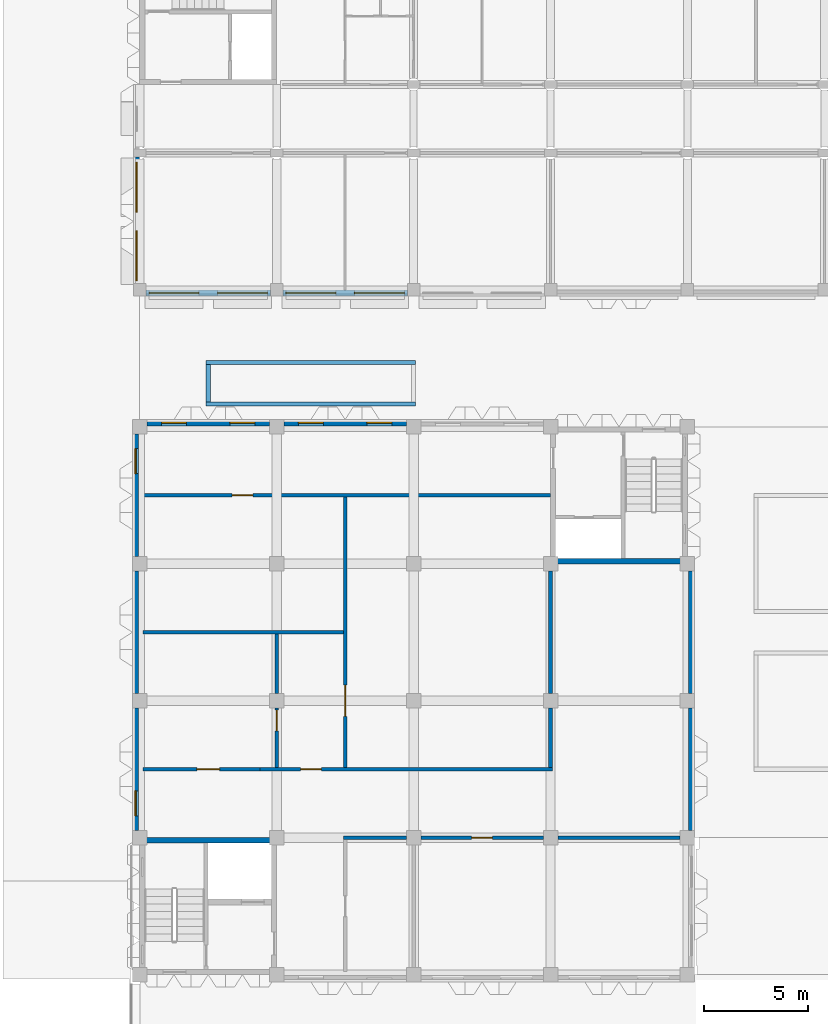
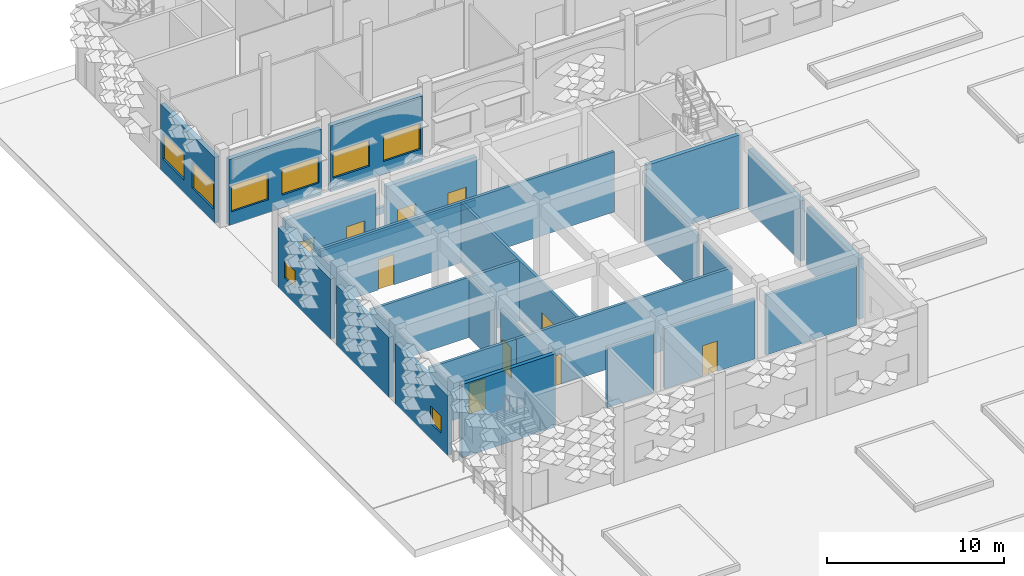
# One storey, part 35 of 85: 27 walls, 12 windows, 6 doors, 18 openings.
"""IFC4 building model written with IfcOpenShell, lengths in metres."""

import ifcopenshell
import ifcopenshell.guid

model = None  # the IFC model being written
_history = None  # IfcOwnerHistory: only IFC2X3 demands one
_inside = {}  # id of a spatial element -> (the spatial element, [elements in it])
_under = {}  # id of a project, library or spatial element -> (it, [spatial elements below it])
_declared = {}  # id of a project -> (the project, [libraries it declares])
_typed = {}  # id of a type object -> (the type object, [elements of that type])
_made_of = {}  # id of a material, layer set ... -> (it, [elements and type objects made of it])


def new_model(schema):
    """Start an empty IFC model of exactly this schema.

    Asked for "IFC4X3", IfcOpenShell would pick the latest addendum, in which some entities
    have other attributes; the version numbers below select the first issue.
    IFC2X3 requires an IfcOwnerHistory on every rooted entity: one is made here for all.
    """
    global model, _history
    if schema == "IFC4X3":
        model = ifcopenshell.file(schema_version=(4, 3, 0, 0))
    else:
        model = ifcopenshell.file(schema=schema)
    _inside.clear()
    _under.clear()
    _declared.clear()
    _typed.clear()
    _made_of.clear()
    _history = None
    if model.schema == "IFC2X3":
        org = make("IfcOrganization", Name="unknown")
        user = make(
            "IfcPersonAndOrganization",
            ThePerson=make("IfcPerson", FamilyName="unknown"),
            TheOrganization=org,
        )
        app = make(
            "IfcApplication",
            ApplicationDeveloper=org,
            Version="unknown",
            ApplicationFullName="unknown",
            ApplicationIdentifier="unknown",
        )
        _history = make(
            "IfcOwnerHistory",
            OwningUser=user,
            OwningApplication=app,
            ChangeAction="ADDED",
            CreationDate=0,
        )
    return model


def make(cls, **values):
    """One entity of the class cls with the attributes given. An attribute that is None is left unset."""
    return model.create_entity(
        cls, **{name: value for name, value in values.items() if value is not None}
    )


def rooted(cls, **values):
    """An entity with a GlobalId (a new one), such as an element, a storey or a relation."""
    return make(cls, GlobalId=ifcopenshell.guid.new(), OwnerHistory=_history, **values)


def si_unit(unit_type, name, prefix=None):
    """IfcSIUnit, for example si_unit("LENGTHUNIT", "METRE", prefix="MILLI")."""
    return make("IfcSIUnit", UnitType=unit_type, Prefix=prefix, Name=name)


def assignment(units):
    """IfcUnitAssignment: the units of a project."""
    return None if units is None else make("IfcUnitAssignment", Units=units)


def point(xyz):
    """IfcCartesianPoint."""
    return None if xyz is None else make("IfcCartesianPoint", Coordinates=xyz)


def direction(xyz):
    """IfcDirection."""
    return None if xyz is None else make("IfcDirection", DirectionRatios=xyz)


def frame(location, z_axis=None, x_axis=None):
    """IfcAxis2Placement3D, a coordinate frame: its origin and axes. An axis left out is left unset."""
    return make(
        "IfcAxis2Placement3D",
        Location=point(location),
        Axis=direction(z_axis),
        RefDirection=direction(x_axis),
    )


def frame_2d(location, x_axis=None):
    """IfcAxis2Placement2D, a coordinate frame in the plane: its origin and x axis."""
    return make(
        "IfcAxis2Placement2D", Location=point(location), RefDirection=direction(x_axis)
    )


def origin():
    """The frame at (0, 0, 0) with its axes left unset."""
    return frame((0.0, 0.0, 0.0))


def place(relative_to, where):
    """IfcLocalPlacement: puts the frame where relative to a parent placement (None: the world)."""
    return make(
        "IfcLocalPlacement", PlacementRelTo=relative_to, RelativePlacement=where
    )


def context(
    kind, dimensions, precision=None, world=None, true_north=None, identifier=None
):
    """IfcGeometricRepresentationContext, for example the 3D "Model" context."""
    return make(
        "IfcGeometricRepresentationContext",
        ContextIdentifier=identifier,
        ContextType=kind,
        CoordinateSpaceDimension=dimensions,
        Precision=precision,
        WorldCoordinateSystem=world,
        TrueNorth=true_north,
    )


def subcontext(parent, identifier, kind, view, scale=None):
    """IfcGeometricRepresentationSubContext, for example "Body" below "Model"."""
    return make(
        "IfcGeometricRepresentationSubContext",
        ContextIdentifier=identifier,
        ContextType=kind,
        ParentContext=parent,
        TargetScale=scale,
        TargetView=view,
    )


def project(units=None, contexts=None):
    """IfcProject with its units and contexts."""
    return rooted(
        "IfcProject",
        Name="project",
        RepresentationContexts=contexts,
        UnitsInContext=assignment(units),
    )


def spatial(cls, under=None, at=None, **own):
    """A site, building, storey or space (cls), placed at a placement, below another one or the project."""
    s = rooted(cls, ObjectPlacement=at, **own)
    if under is not None:
        _under.setdefault(under.id(), (under, []))[1].append(s)
    return s


def profile(cls, at=None, kind="AREA", **sizes):
    """A parametric profile (cls). Its sizes go by their IFC names, for example OverallWidth=200.0."""
    return make(cls, ProfileType=kind, Position=at, **sizes)


def rectangle(**sizes):
    """IfcRectangleProfileDef."""
    return profile("IfcRectangleProfileDef", **sizes)


def extrude(swept, where, along, depth):
    """IfcExtrudedAreaSolid: the profile swept, set in the frame where, extruded along a direction by depth."""
    return make(
        "IfcExtrudedAreaSolid",
        SweptArea=swept,
        Position=where,
        ExtrudedDirection=direction(along),
        Depth=depth,
    )


def shape(context_of_items, identifier, shape_type, items):
    """IfcShapeRepresentation: the items that make up one representation, for example the "Body"."""
    return make(
        "IfcShapeRepresentation",
        ContextOfItems=context_of_items,
        RepresentationIdentifier=identifier,
        RepresentationType=shape_type,
        Items=items,
    )


def material(Name=None, Category=None):
    """IfcMaterial."""
    return make("IfcMaterial", Name=Name, Category=Category)


def layer(
    of_material, thickness, ventilated=None, Name=None, Category=None, Priority=None
):
    """IfcMaterialLayer: one layer of a wall or slab, of a material (None: an air gap)."""
    return make(
        "IfcMaterialLayer",
        Material=of_material,
        LayerThickness=thickness,
        IsVentilated=ventilated,
        Name=Name,
        Category=Category,
        Priority=Priority,
    )


def layer_set(layers, Name=None):
    """IfcMaterialLayerSet."""
    return make("IfcMaterialLayerSet", MaterialLayers=layers, LayerSetName=Name)


def made_of(thing, what):
    """Note that an element or type object is made of a material, layer set ...; save() writes the relation."""
    if what is not None:
        _made_of.setdefault(what.id(), (what, []))[1].append(thing)
    return thing


def type_object(cls, material=None, **own):
    """A type object (cls), such as IfcWallType, which elements share."""
    return made_of(rooted(cls, **own), material)


def element(
    cls,
    number,
    at=None,
    inside=None,
    cuts=None,
    type_object=None,
    material=None,
    context=None,
    identifier="Body",
    shape_type=None,
    held_by="IfcProductDefinitionShape",
    body=None,
    shapes=None,
    **own,
):
    """One element of the class cls, such as IfcWall. Its Tag is "e" and its number.

    at: its placement. inside: the storey or other place that contains it. cuts: it is an
    opening in that element (IfcRelVoidsElement). A single representation is given by context,
    identifier, shape_type and body (its items); several are given by shapes. held_by: the class
    of the entity that holds the representations. save() writes the other relations.
    """
    e = rooted(cls, Tag="e%d" % number, ObjectPlacement=at, **own)
    if body is not None:
        shapes = [shape(context, identifier, shape_type, body)]
    if shapes is not None:
        e.Representation = make(held_by, Representations=shapes)
    if inside is not None:
        _inside.setdefault(inside.id(), (inside, []))[1].append(e)
    if cuts is not None:
        rooted(
            "IfcRelVoidsElement", RelatingBuildingElement=cuts, RelatedOpeningElement=e
        )
    if type_object is not None:
        _typed.setdefault(type_object.id(), (type_object, []))[1].append(e)
    return made_of(e, material)


def fill(opening, filler):
    """IfcRelFillsElement: the door or window that sits in an opening."""
    return rooted(
        "IfcRelFillsElement",
        RelatingOpeningElement=opening,
        RelatedBuildingElement=filler,
    )


def aggregate(whole, parts):
    """IfcRelAggregates: a whole, such as a stair, and the parts it consists of."""
    return rooted("IfcRelAggregates", RelatingObject=whole, RelatedObjects=parts)


def save(model, path):
    """Write the relations noted so far, then the file.

    IfcRelAggregates (storeys below a building ...), IfcRelContainedInSpatialStructure (elements
    in a storey), IfcRelDefinesByType, IfcRelAssociatesMaterial and IfcRelDeclares: one each for
    every whole, place, type object, material and project.
    """
    for whole, parts in _under.values():
        aggregate(whole, parts)
    for where, things in _inside.values():
        rooted(
            "IfcRelContainedInSpatialStructure",
            RelatedElements=things,
            RelatingStructure=where,
        )
    for kind, things in _typed.values():
        rooted("IfcRelDefinesByType", RelatedObjects=things, RelatingType=kind)
    for what, things in _made_of.values():
        rooted("IfcRelAssociatesMaterial", RelatedObjects=things, RelatingMaterial=what)
    for by, libraries in _declared.values():
        rooted("IfcRelDeclares", RelatingContext=by, RelatedDefinitions=libraries)
    model.write(path)


model = new_model("IFC4")

# Units and contexts
model_context = context("Model", 3, precision=1e-05, world=origin(), true_north=direction((0.0, 1.0)))
body_context = subcontext(model_context, "Body", "Model", "MODEL_VIEW")
ifc_project = project(units=[si_unit("LENGTHUNIT", "METRE"), si_unit("AREAUNIT", "SQUARE_METRE"), si_unit("VOLUMEUNIT", "CUBIC_METRE"), si_unit("PLANEANGLEUNIT", "RADIAN"), si_unit("MASSUNIT", "GRAM", prefix="KILO")], contexts=[model_context])

# Site, building, storey
site_placement = place(None, origin())
site = spatial("IfcSite", under=ifc_project, at=site_placement, CompositionType="ELEMENT")
building_placement = place(site_placement, origin())
building = spatial("IfcBuilding", under=site, at=building_placement, Name="Lantern Court Research Institute", CompositionType="ELEMENT")
storey_placement = place(building_placement, origin())
storey = spatial("IfcBuildingStorey", under=building, at=storey_placement, Name="L00", CompositionType="ELEMENT", Elevation=0.0)

# Wall
ifc_material_1 = material(Name="Coated metal-faced insulated panel")
ifc_layer_1 = layer(ifc_material_1, 0.175048828125)
ifc_layer_set_1 = layer_set([ifc_layer_1], Name="Coated metal-faced insulated panel")
wall_type_1 = type_object("IfcWallType", Name="Clean room wall 175 mm EI 60", PredefinedType="PARTITIONING", material=ifc_layer_set_1)
wall_1_placement = place(storey_placement, frame((9.81201171875, 56.10009765625, 0.0), z_axis=(0.0, 0.0, 1.0), x_axis=(1.0, 0.0, 0.0)))
element("IfcWall", 1, at=wall_1_placement, inside=storey, type_object=wall_type_1, Name="Wall V3-L00-001", PredefinedType="PARTITIONING", context=body_context, shape_type="SweptSolid", body=[
    extrude(rectangle(XDim=3.0380859375, YDim=0.175048828125, at=frame_2d((1.51904296875, 0.0))), origin(), (0.0, 0.0, 1.0), 4.14990234375),
])

# Wall, opening, door
wall_2_placement = place(storey_placement, frame((19.449951171875, 56.10009765625, 0.0), z_axis=(0.0, 0.0, 1.0), x_axis=(-1.0, 0.0, 0.0)))
wall_2 = element("IfcWall", 2, at=wall_2_placement, inside=storey, type_object=wall_type_1, Name="Wall V3-L00-002", PredefinedType="PARTITIONING", context=body_context, shape_type="SweptSolid", body=[
    extrude(rectangle(XDim=5.89990234375, YDim=0.175048828125, at=frame_2d((2.949951171875, 0.0))), origin(), (0.0, 0.0, 1.0), 4.14990234375),
])
opening_1_placement = place(wall_2_placement, frame((2.449951171875, 0.0, 0.0)))
opening_1 = element("IfcOpeningElement", 3, at=opening_1_placement, cuts=wall_2, Name="Opening D3001", PredefinedType="OPENING", context=body_context, shape_type="SweptSolid", body=[
    extrude(rectangle(XDim=1.0, YDim=2.10009765625, at=frame_2d((0.5, 1.050048828125))), frame((0.0, 0.097412109375, 0.0), z_axis=(0.0, -1.0, 0.0), x_axis=(1.0, 0.0, 0.0)), (0.0, 0.0, 1.0), 0.195068359375),
])
ifc_material_2 = material(Name="Hygienic coated metal door leaf")
door_type_1 = type_object("IfcDoorType", Name="Door 1000 x 2100 clean room FD30S", OperationType="NOTDEFINED", PredefinedType="DOOR", material=ifc_material_2)
door_1_placement = place(opening_1_placement, origin())
door_1 = element("IfcDoor", 4, at=door_1_placement, inside=storey, type_object=door_type_1, Name="Door D3001", OperationType="SINGLE_SWING_RIGHT", OverallHeight=2.10009765625, OverallWidth=1.0, PredefinedType="DOOR", context=body_context, shape_type="SweptSolid", body=[
    extrude(rectangle(XDim=1.0, YDim=2.10009765625, at=frame_2d((0.5, 1.050048828125))), frame((0.0, 0.02490234375, 0.0), z_axis=(0.0, -1.0, 0.0), x_axis=(1.0, 0.0, 0.0)), (0.0, 0.0, 1.0), 0.050048828125),
])
fill(opening_1, door_1)

# Wall
wall_3_placement = place(storey_placement, frame((20.14990234375, 56.10009765625, 0.0), z_axis=(0.0, 0.0, 1.0), x_axis=(1.0, 0.0, 0.0)))
element("IfcWall", 5, at=wall_3_placement, inside=storey, type_object=wall_type_1, Name="Wall V3-L00-003", PredefinedType="PARTITIONING", context=body_context, shape_type="SweptSolid", body=[
    extrude(rectangle(XDim=5.900146484375, YDim=0.175048828125, at=frame_2d((2.9501953125, 0.0))), origin(), (0.0, 0.0, 1.0), 4.14990234375),
])

# Wall, opening, door
wall_4_placement = place(storey_placement, frame((0.14990234375, 59.39990234375, 0.0), z_axis=(0.0, 0.0, 1.0), x_axis=(1.0, 0.0, 0.0)))
wall_4 = element("IfcWall", 6, at=wall_4_placement, inside=storey, type_object=wall_type_1, Name="Wall V3-L00-004", PredefinedType="PARTITIONING", context=body_context, shape_type="SweptSolid", body=[
    extrude(rectangle(XDim=5.650146484375, YDim=0.175048828125, at=frame_2d((2.8251953125, 0.0))), origin(), (0.0, 0.0, 1.0), 4.14990234375),
])
opening_2_placement = place(wall_4_placement, frame((2.60009765625, 0.0, 0.0)))
opening_2 = element("IfcOpeningElement", 7, at=opening_2_placement, cuts=wall_4, Name="Opening D3002", PredefinedType="OPENING", context=body_context, shape_type="SweptSolid", body=[
    extrude(rectangle(XDim=1.10009765625, YDim=2.10009765625, at=frame_2d((0.550048828125, 1.050048828125))), frame((0.0, 0.097412109375, 0.0), z_axis=(0.0, -1.0, 0.0), x_axis=(1.0, 0.0, 0.0)), (0.0, 0.0, 1.0), 0.195068359375),
])
ifc_material_3 = material(Name="Hygienic coated metal door leaf")
door_type_2 = type_object("IfcDoorType", Name="Door 1100 x 2100 gowning FD30S", OperationType="NOTDEFINED", PredefinedType="DOOR", material=ifc_material_3)
door_2_placement = place(opening_2_placement, origin())
door_2 = element("IfcDoor", 8, at=door_2_placement, inside=storey, type_object=door_type_2, Name="Door D3002", OperationType="SINGLE_SWING_LEFT", OverallHeight=2.10009765625, OverallWidth=1.10009765625, PredefinedType="DOOR", context=body_context, shape_type="SweptSolid", body=[
    extrude(rectangle(XDim=1.10009765625, YDim=2.10009765625, at=frame_2d((0.550048828125, 1.050048828125))), frame((0.0, 0.02490234375, 0.0), z_axis=(0.0, -1.0, 0.0), x_axis=(1.0, 0.0, 0.0)), (0.0, 0.0, 1.0), 0.050048828125),
])
fill(opening_2, door_2)

wall_5_placement = place(storey_placement, frame((19.886962890625, 59.39990234375, 0.0), z_axis=(0.0, 0.0, 1.0), x_axis=(-1.0, 0.0, 0.0)))
wall_5 = element("IfcWall", 9, at=wall_5_placement, inside=storey, type_object=wall_type_1, Name="Wall V3-L00-005", PredefinedType="PARTITIONING", context=body_context, shape_type="SweptSolid", body=[
    extrude(rectangle(XDim=14.0869140625, YDim=0.175048828125, at=frame_2d((7.04345703125, 0.0))), origin(), (0.0, 0.0, 1.0), 4.14990234375),
])
opening_3_placement = place(wall_5_placement, frame((11.136962890625, 0.0, 0.0)))
opening_3 = element("IfcOpeningElement", 10, at=opening_3_placement, cuts=wall_5, Name="Opening D3003", PredefinedType="OPENING", context=body_context, shape_type="SweptSolid", body=[
    extrude(rectangle(XDim=1.0, YDim=2.10009765625, at=frame_2d((0.5, 1.050048828125))), frame((0.0, 0.097412109375, 0.0), z_axis=(0.0, -1.0, 0.0), x_axis=(1.0, 0.0, 0.0)), (0.0, 0.0, 1.0), 0.195068359375),
])
door_3_placement = place(opening_3_placement, origin())
door_3 = element("IfcDoor", 11, at=door_3_placement, inside=storey, type_object=door_type_1, Name="Door D3003", OperationType="SINGLE_SWING_RIGHT", OverallHeight=2.10009765625, OverallWidth=1.0, PredefinedType="DOOR", context=body_context, shape_type="SweptSolid", body=[
    extrude(rectangle(XDim=1.0, YDim=2.10009765625, at=frame_2d((0.5, 1.050048828125))), frame((0.0, 0.02490234375, 0.0), z_axis=(0.0, -1.0, 0.0), x_axis=(1.0, 0.0, 0.0)), (0.0, 0.0, 1.0), 0.050048828125),
])
fill(opening_3, door_3)

# Wall
wall_6_placement = place(storey_placement, frame((0.14990234375, 66.0, 0.0), z_axis=(0.0, 0.0, 1.0), x_axis=(1.0, 0.0, 0.0)))
element("IfcWall", 12, at=wall_6_placement, inside=storey, type_object=wall_type_1, Name="Wall V3-L00-006", PredefinedType="PARTITIONING", context=body_context, shape_type="SweptSolid", body=[
    extrude(rectangle(XDim=9.662109375, YDim=0.175048828125, at=frame_2d((4.8310546875, 0.0))), origin(), (0.0, 0.0, 1.0), 4.14990234375),
])

# Wall, opening, door
wall_7_placement = place(storey_placement, frame((19.800048828125, 72.60009765625, 0.0), z_axis=(0.0, 0.0, 1.0), x_axis=(-1.0, 0.0, 0.0)))
wall_7 = element("IfcWall", 13, at=wall_7_placement, inside=storey, type_object=wall_type_1, Name="Wall V3-L00-007", PredefinedType="PARTITIONING", context=body_context, shape_type="SweptSolid", body=[
    extrude(rectangle(XDim=19.650146484375, YDim=0.175048828125, at=frame_2d((9.8251953125, 0.0))), origin(), (0.0, 0.0, 1.0), 4.14990234375),
])
opening_4_placement = place(wall_7_placement, frame((14.35009765625, 0.0, 0.0)))
opening_4 = element("IfcOpeningElement", 14, at=opening_4_placement, cuts=wall_7, Name="Opening D3004", PredefinedType="OPENING", context=body_context, shape_type="SweptSolid", body=[
    extrude(rectangle(XDim=1.0, YDim=2.10009765625, at=frame_2d((0.5, 1.050048828125))), frame((0.0, 0.097412109375, 0.0), z_axis=(0.0, -1.0, 0.0), x_axis=(1.0, 0.0, 0.0)), (0.0, 0.0, 1.0), 0.195068359375),
])
ifc_material_4 = material(Name="Coated metal door leaf")
door_type_3 = type_object("IfcDoorType", Name="Door 1000 x 2100 plant FD60", OperationType="NOTDEFINED", PredefinedType="DOOR", material=ifc_material_4)
door_4_placement = place(opening_4_placement, origin())
door_4 = element("IfcDoor", 15, at=door_4_placement, inside=storey, type_object=door_type_3, Name="Door D3004", OperationType="SINGLE_SWING_RIGHT", OverallHeight=2.10009765625, OverallWidth=1.0, PredefinedType="DOOR", context=body_context, shape_type="SweptSolid", body=[
    extrude(rectangle(XDim=1.0, YDim=2.10009765625, at=frame_2d((0.5, 1.050048828125))), frame((0.0, 0.02490234375, 0.0), z_axis=(0.0, -1.0, 0.0), x_axis=(1.0, 0.0, 0.0)), (0.0, 0.0, 1.0), 0.050048828125),
])
fill(opening_4, door_4)

wall_8_placement = place(storey_placement, frame((6.60009765625, 59.487060546875, 0.0), z_axis=(0.0, 0.0, 1.0), x_axis=(0.0, 1.0, 0.0)))
wall_8 = element("IfcWall", 16, at=wall_8_placement, inside=storey, type_object=wall_type_1, Name="Wall V3-L00-008", PredefinedType="PARTITIONING", context=body_context, shape_type="SweptSolid", body=[
    extrude(rectangle(XDim=2.863037109375, YDim=0.175048828125, at=frame_2d((1.431640625, 0.0))), origin(), (0.0, 0.0, 1.0), 4.14990234375),
])
opening_5_placement = place(wall_8_placement, frame((1.762939453125, 0.0, 0.0)))
opening_5 = element("IfcOpeningElement", 17, at=opening_5_placement, cuts=wall_8, Name="Opening D3005", PredefinedType="OPENING", context=body_context, shape_type="SweptSolid", body=[
    extrude(rectangle(XDim=1.0, YDim=2.10009765625, at=frame_2d((0.5, 1.050048828125))), frame((0.0, 0.097412109375, 0.0), z_axis=(0.0, -1.0, 0.0), x_axis=(1.0, 0.0, 0.0)), (0.0, 0.0, 1.0), 0.195068359375),
])
door_5_placement = place(opening_5_placement, origin())
door_5 = element("IfcDoor", 18, at=door_5_placement, inside=storey, type_object=door_type_1, Name="Door D3005", OperationType="SINGLE_SWING_LEFT", OverallHeight=2.10009765625, OverallWidth=1.0, PredefinedType="DOOR", context=body_context, shape_type="SweptSolid", body=[
    extrude(rectangle(XDim=1.0, YDim=2.10009765625, at=frame_2d((0.5, 1.050048828125))), frame((0.0, 0.02490234375, 0.0), z_axis=(0.0, -1.0, 0.0), x_axis=(1.0, 0.0, 0.0)), (0.0, 0.0, 1.0), 0.050048828125),
])
fill(opening_5, door_5)

# Wall
wall_9_placement = place(storey_placement, frame((6.60009765625, 63.050048828125, 0.0), z_axis=(0.0, 0.0, 1.0), x_axis=(0.0, 1.0, 0.0)))
element("IfcWall", 19, at=wall_9_placement, inside=storey, type_object=wall_type_1, Name="Wall V3-L00-009", PredefinedType="PARTITIONING", context=body_context, shape_type="SweptSolid", body=[
    extrude(rectangle(XDim=2.862060546875, YDim=0.175048828125, at=frame_2d((1.43115234375, 0.0))), origin(), (0.0, 0.0, 1.0), 4.14990234375),
])

# Wall, opening, door
wall_10_placement = place(storey_placement, frame((9.89990234375, 59.487060546875, 0.0), z_axis=(0.0, 0.0, 1.0), x_axis=(0.0, 1.0, 0.0)))
wall_10 = element("IfcWall", 20, at=wall_10_placement, inside=storey, type_object=wall_type_1, Name="Wall V3-L00-011", PredefinedType="PARTITIONING", context=body_context, shape_type="SweptSolid", body=[
    extrude(rectangle(XDim=13.02490234375, YDim=0.175048828125, at=frame_2d((6.512451171875, 0.0))), origin(), (0.0, 0.0, 1.0), 4.14990234375),
])
opening_6_placement = place(wall_10_placement, frame((2.462890625, 0.0, 0.0)))
opening_6 = element("IfcOpeningElement", 21, at=opening_6_placement, cuts=wall_10, Name="Opening D3007", PredefinedType="OPENING", context=body_context, shape_type="SweptSolid", body=[
    extrude(rectangle(XDim=1.5, YDim=2.10009765625, at=frame_2d((0.75, 1.050048828125))), frame((0.0, 0.097412109375, 0.0), z_axis=(0.0, -1.0, 0.0), x_axis=(1.0, 0.0, 0.0)), (0.0, 0.0, 1.0), 0.195068359375),
])
ifc_material_5 = material(Name="Hygienic coated metal door leaf")
door_type_4 = type_object("IfcDoorType", Name="Door 1500 x 2100 clean room pair FD30S", OperationType="DOUBLE_DOOR_SINGLE_SWING", PredefinedType="DOOR", material=ifc_material_5)
door_6_placement = place(opening_6_placement, origin())
door_6 = element("IfcDoor", 22, at=door_6_placement, inside=storey, type_object=door_type_4, Name="Door D3007", OperationType="DOUBLE_DOOR_SINGLE_SWING", OverallHeight=2.10009765625, OverallWidth=1.5, PredefinedType="DOOR", context=body_context, shape_type="SweptSolid", body=[
    extrude(rectangle(XDim=1.5, YDim=2.10009765625, at=frame_2d((0.75, 1.050048828125))), frame((0.0, 0.02490234375, 0.0), z_axis=(0.0, -1.0, 0.0), x_axis=(1.0, 0.0, 0.0)), (0.0, 0.0, 1.0), 0.050048828125),
])
fill(opening_6, door_6)

# Walls
wall_11_placement = place(storey_placement, frame((19.800048828125, 59.487060546875, 0.0), z_axis=(0.0, 0.0, 1.0), x_axis=(0.0, 1.0, 0.0)))
element("IfcWall", 23, at=wall_11_placement, inside=storey, type_object=wall_type_1, Name="Wall V3-L00-013", PredefinedType="PARTITIONING", context=body_context, shape_type="SweptSolid", body=[
    extrude(rectangle(XDim=2.863037109375, YDim=0.175048828125, at=frame_2d((1.431640625, 0.0))), origin(), (0.0, 0.0, 1.0), 4.14990234375),
])
wall_12_placement = place(storey_placement, frame((19.800048828125, 63.050048828125, 0.0), z_axis=(0.0, 0.0, 1.0), x_axis=(0.0, 1.0, 0.0)))
element("IfcWall", 24, at=wall_12_placement, inside=storey, type_object=wall_type_1, Name="Wall V3-L00-014", PredefinedType="PARTITIONING", context=body_context, shape_type="SweptSolid", body=[
    extrude(rectangle(XDim=5.89990234375, YDim=0.175048828125, at=frame_2d((2.949951171875, 0.0))), origin(), (0.0, 0.0, 1.0), 4.14990234375),
])

# Wall, openings, windows
ifc_material_6 = material(Name="Concrete C30/37", Category="concrete")
ifc_layer_2 = layer(ifc_material_6, 0.300048828125)
ifc_layer_set_2 = layer_set([ifc_layer_2], Name="Concrete C30/37")
wall_type_2 = type_object("IfcWallType", Name="Insulated concrete infill wall 300", PredefinedType="STANDARD", material=ifc_layer_set_2)
wall_13_placement = place(storey_placement, frame((6.300048828125, 82.35009765625, 0.0), z_axis=(0.0, 0.0, 1.0), x_axis=(-1.0, 0.0, 0.0)))
wall_13 = element("IfcWall", 25, at=wall_13_placement, inside=storey, type_object=wall_type_2, Name="Exterior wall EW061", PredefinedType="STANDARD", context=body_context, shape_type="SweptSolid", body=[
    extrude(rectangle(XDim=6.0, YDim=0.300048828125, at=frame_2d((3.0, 0.0))), origin(), (0.0, 0.0, 1.0), 4.550048828125),
])
opening_7_placement = place(wall_13_placement, frame((3.449951171875, 0.0, 0.89990234375)))
opening_7 = element("IfcOpeningElement", 26, at=opening_7_placement, cuts=wall_13, Name="Opening W13", PredefinedType="OPENING", context=body_context, shape_type="SweptSolid", body=[
    extrude(rectangle(XDim=2.39990234375, YDim=1.800048828125, at=frame_2d((1.199951171875, 0.89990234375))), frame((0.0, 0.159912109375, 0.0), z_axis=(0.0, -1.0, 0.0), x_axis=(1.0, 0.0, 0.0)), (0.0, 0.0, 1.0), 0.320068359375),
])
opening_8_placement = place(wall_13_placement, frame((0.14990234375, 0.0, 0.89990234375)))
opening_8 = element("IfcOpeningElement", 27, at=opening_8_placement, cuts=wall_13, Name="Opening W13", PredefinedType="OPENING", context=body_context, shape_type="SweptSolid", body=[
    extrude(rectangle(XDim=2.39990234375, YDim=1.800048828125, at=frame_2d((1.199951171875, 0.89990234375))), frame((0.0, 0.159912109375, 0.0), z_axis=(0.0, -1.0, 0.0), x_axis=(1.0, 0.0, 0.0)), (0.0, 0.0, 1.0), 0.320068359375),
])
ifc_material_7 = material(Name="Aluminium frame with laminated low-emissivity glazing", Category="aluminium")
window_type_1 = type_object("IfcWindowType", Name="Seminar window 2400 x 1800", PartitioningType="SINGLE_PANEL", PredefinedType="WINDOW", material=ifc_material_7)
window_1_placement = place(opening_7_placement, origin())
window_1 = element("IfcWindow", 28, at=window_1_placement, inside=storey, type_object=window_type_1, Name="Window W13 V6S L00", OverallHeight=1.800048828125, OverallWidth=2.39990234375, PartitioningType="SINGLE_PANEL", PredefinedType="WINDOW", context=body_context, shape_type="SweptSolid", body=[
    extrude(rectangle(XDim=2.39990234375, YDim=1.800048828125, at=frame_2d((1.199951171875, 0.89990234375))), frame((0.0, 0.030029296875, 0.0), z_axis=(0.0, -1.0, 0.0), x_axis=(1.0, 0.0, 0.0)), (0.0, 0.0, 1.0), 0.06005859375),
])
fill(opening_7, window_1)
window_2_placement = place(opening_8_placement, origin())
window_2 = element("IfcWindow", 29, at=window_2_placement, inside=storey, type_object=window_type_1, Name="Window W13 V6S L00", OverallHeight=1.800048828125, OverallWidth=2.39990234375, PartitioningType="SINGLE_PANEL", PredefinedType="WINDOW", context=body_context, shape_type="SweptSolid", body=[
    extrude(rectangle(XDim=2.39990234375, YDim=1.800048828125, at=frame_2d((1.199951171875, 0.89990234375))), frame((0.0, 0.030029296875, 0.0), z_axis=(0.0, -1.0, 0.0), x_axis=(1.0, 0.0, 0.0)), (0.0, 0.0, 1.0), 0.06005859375),
])
fill(opening_8, window_2)

wall_14_placement = place(storey_placement, frame((12.89990234375, 82.35009765625, 0.0), z_axis=(0.0, 0.0, 1.0), x_axis=(-1.0, 0.0, 0.0)))
wall_14 = element("IfcWall", 30, at=wall_14_placement, inside=storey, type_object=wall_type_2, Name="Exterior wall EW062", PredefinedType="STANDARD", context=body_context, shape_type="SweptSolid", body=[
    extrude(rectangle(XDim=6.0, YDim=0.300048828125, at=frame_2d((3.0, 0.0))), origin(), (0.0, 0.0, 1.0), 4.550048828125),
])
opening_9_placement = place(wall_14_placement, frame((3.449951171875, 0.0, 0.89990234375)))
opening_9 = element("IfcOpeningElement", 31, at=opening_9_placement, cuts=wall_14, Name="Opening W13", PredefinedType="OPENING", context=body_context, shape_type="SweptSolid", body=[
    extrude(rectangle(XDim=2.39990234375, YDim=1.800048828125, at=frame_2d((1.199951171875, 0.89990234375))), frame((0.0, 0.159912109375, 0.0), z_axis=(0.0, -1.0, 0.0), x_axis=(1.0, 0.0, 0.0)), (0.0, 0.0, 1.0), 0.320068359375),
])
opening_10_placement = place(wall_14_placement, frame((0.14990234375, 0.0, 0.89990234375)))
opening_10 = element("IfcOpeningElement", 32, at=opening_10_placement, cuts=wall_14, Name="Opening W13", PredefinedType="OPENING", context=body_context, shape_type="SweptSolid", body=[
    extrude(rectangle(XDim=2.39990234375, YDim=1.800048828125, at=frame_2d((1.199951171875, 0.89990234375))), frame((0.0, 0.159912109375, 0.0), z_axis=(0.0, -1.0, 0.0), x_axis=(1.0, 0.0, 0.0)), (0.0, 0.0, 1.0), 0.320068359375),
])
window_3_placement = place(opening_9_placement, origin())
window_3 = element("IfcWindow", 33, at=window_3_placement, inside=storey, type_object=window_type_1, Name="Window W13 V6S L00", OverallHeight=1.800048828125, OverallWidth=2.39990234375, PartitioningType="SINGLE_PANEL", PredefinedType="WINDOW", context=body_context, shape_type="SweptSolid", body=[
    extrude(rectangle(XDim=2.39990234375, YDim=1.800048828125, at=frame_2d((1.199951171875, 0.89990234375))), frame((0.0, 0.030029296875, 0.0), z_axis=(0.0, -1.0, 0.0), x_axis=(1.0, 0.0, 0.0)), (0.0, 0.0, 1.0), 0.06005859375),
])
fill(opening_9, window_3)
window_4_placement = place(opening_10_placement, origin())
window_4 = element("IfcWindow", 34, at=window_4_placement, inside=storey, type_object=window_type_1, Name="Window W13 V6S L00", OverallHeight=1.800048828125, OverallWidth=2.39990234375, PartitioningType="SINGLE_PANEL", PredefinedType="WINDOW", context=body_context, shape_type="SweptSolid", body=[
    extrude(rectangle(XDim=2.39990234375, YDim=1.800048828125, at=frame_2d((1.199951171875, 0.89990234375))), frame((0.0, 0.030029296875, 0.0), z_axis=(0.0, -1.0, 0.0), x_axis=(1.0, 0.0, 0.0)), (0.0, 0.0, 1.0), 0.06005859375),
])
fill(opening_10, window_4)

wall_15_placement = place(storey_placement, frame((-0.14990234375, 82.800048828125, 0.0), z_axis=(0.0, 0.0, 1.0), x_axis=(0.0, 1.0, 0.0)))
wall_15 = element("IfcWall", 35, at=wall_15_placement, inside=storey, type_object=wall_type_2, Name="Exterior wall EW071", PredefinedType="STANDARD", context=body_context, shape_type="SweptSolid", body=[
    extrude(rectangle(XDim=6.099853515625, YDim=0.300048828125, at=frame_2d((3.0498046875, 0.0))), origin(), (0.0, 0.0, 1.0), 4.550048828125),
])
opening_11_placement = place(wall_15_placement, frame((0.14990234375, 0.0, 0.89990234375)))
opening_11 = element("IfcOpeningElement", 36, at=opening_11_placement, cuts=wall_15, Name="Opening W13", PredefinedType="OPENING", context=body_context, shape_type="SweptSolid", body=[
    extrude(rectangle(XDim=2.39990234375, YDim=1.800048828125, at=frame_2d((1.199951171875, 0.89990234375))), frame((0.0, 0.159912109375, 0.0), z_axis=(0.0, -1.0, 0.0), x_axis=(1.0, 0.0, 0.0)), (0.0, 0.0, 1.0), 0.320068359375),
])
opening_12_placement = place(wall_15_placement, frame((3.449951171875, 0.0, 0.89990234375)))
opening_12 = element("IfcOpeningElement", 37, at=opening_12_placement, cuts=wall_15, Name="Opening W13", PredefinedType="OPENING", context=body_context, shape_type="SweptSolid", body=[
    extrude(rectangle(XDim=2.39990234375, YDim=1.800048828125, at=frame_2d((1.199951171875, 0.89990234375))), frame((0.0, 0.159912109375, 0.0), z_axis=(0.0, -1.0, 0.0), x_axis=(1.0, 0.0, 0.0)), (0.0, 0.0, 1.0), 0.320068359375),
])
window_5_placement = place(opening_11_placement, origin())
window_5 = element("IfcWindow", 38, at=window_5_placement, inside=storey, type_object=window_type_1, Name="Window W13 V6W L00", OverallHeight=1.800048828125, OverallWidth=2.39990234375, PartitioningType="SINGLE_PANEL", PredefinedType="WINDOW", context=body_context, shape_type="SweptSolid", body=[
    extrude(rectangle(XDim=2.39990234375, YDim=1.800048828125, at=frame_2d((1.199951171875, 0.89990234375))), frame((0.0, 0.030029296875, 0.0), z_axis=(0.0, -1.0, 0.0), x_axis=(1.0, 0.0, 0.0)), (0.0, 0.0, 1.0), 0.06005859375),
])
fill(opening_11, window_5)
window_6_placement = place(opening_12_placement, origin())
window_6 = element("IfcWindow", 39, at=window_6_placement, inside=storey, type_object=window_type_1, Name="Window W13 V6W L00", OverallHeight=1.800048828125, OverallWidth=2.39990234375, PartitioningType="SINGLE_PANEL", PredefinedType="WINDOW", context=body_context, shape_type="SweptSolid", body=[
    extrude(rectangle(XDim=2.39990234375, YDim=1.800048828125, at=frame_2d((1.199951171875, 0.89990234375))), frame((0.0, 0.030029296875, 0.0), z_axis=(0.0, -1.0, 0.0), x_axis=(1.0, 0.0, 0.0)), (0.0, 0.0, 1.0), 0.06005859375),
])
fill(opening_12, window_6)

# Walls
ifc_material_8 = material(Name="Aluminium composite panel with mineral wool insulation", Category="aluminium")
ifc_layer_3 = layer(ifc_material_8, 0.300048828125)
ifc_layer_set_3 = layer_set([ifc_layer_3], Name="Aluminium composite panel with mineral wool insulation")
wall_type_3 = type_object("IfcWallType", Name="Insulated panel wall 300 aluminium faced", PredefinedType="STANDARD", material=ifc_layer_set_3)
wall_16_placement = place(storey_placement, frame((26.60009765625, 62.35009765625, 0.0), z_axis=(0.0, 0.0, 1.0), x_axis=(0.0, -1.0, 0.0)))
element("IfcWall", 40, at=wall_16_placement, inside=storey, type_object=wall_type_3, Name="Exterior wall EW015", PredefinedType="STANDARD", context=body_context, shape_type="SweptSolid", body=[
    extrude(rectangle(XDim=5.900146484375, YDim=0.300048828125, at=frame_2d((2.9501953125, 0.0))), origin(), (0.0, 0.0, 1.0), 4.14990234375),
])
wall_17_placement = place(storey_placement, frame((26.60009765625, 68.949951171875, 0.0), z_axis=(0.0, 0.0, 1.0), x_axis=(0.0, -1.0, 0.0)))
element("IfcWall", 41, at=wall_17_placement, inside=storey, type_object=wall_type_3, Name="Exterior wall EW016", PredefinedType="STANDARD", context=body_context, shape_type="SweptSolid", body=[
    extrude(rectangle(XDim=5.89990234375, YDim=0.300048828125, at=frame_2d((2.949951171875, 0.0))), origin(), (0.0, 0.0, 1.0), 4.14990234375),
])

# Wall, openings, windows
wall_18_placement = place(storey_placement, frame((0.35009765625, 76.10009765625, 0.0), z_axis=(0.0, 0.0, 1.0), x_axis=(1.0, 0.0, 0.0)))
wall_18 = element("IfcWall", 42, at=wall_18_placement, inside=storey, type_object=wall_type_3, Name="Exterior wall EW017", PredefinedType="STANDARD", context=body_context, shape_type="SweptSolid", body=[
    extrude(rectangle(XDim=5.89990234375, YDim=0.300048828125, at=frame_2d((2.949951171875, 0.0))), origin(), (0.0, 0.0, 1.0), 4.14990234375),
])
opening_13_placement = place(wall_18_placement, frame((0.699951171875, 0.0, 1.10009765625)))
opening_13 = element("IfcOpeningElement", 43, at=opening_13_placement, cuts=wall_18, Name="Opening W05", PredefinedType="OPENING", context=body_context, shape_type="SweptSolid", body=[
    extrude(rectangle(XDim=1.199951171875, YDim=1.199951171875, at=frame_2d((0.60009765625, 0.60009765625))), frame((0.0, 0.159912109375, 0.0), z_axis=(0.0, -1.0, 0.0), x_axis=(1.0, 0.0, 0.0)), (0.0, 0.0, 1.0), 0.320068359375),
])
opening_14_placement = place(wall_18_placement, frame((4.0, 0.0, 1.10009765625)))
opening_14 = element("IfcOpeningElement", 44, at=opening_14_placement, cuts=wall_18, Name="Opening W05", PredefinedType="OPENING", context=body_context, shape_type="SweptSolid", body=[
    extrude(rectangle(XDim=1.199951171875, YDim=1.199951171875, at=frame_2d((0.60009765625, 0.60009765625))), frame((0.0, 0.159912109375, 0.0), z_axis=(0.0, -1.0, 0.0), x_axis=(1.0, 0.0, 0.0)), (0.0, 0.0, 1.0), 0.320068359375),
])
ifc_material_9 = material(Name="Aluminium frame with laminated low-emissivity glazing", Category="aluminium")
window_type_2 = type_object("IfcWindowType", Name="Corridor end window 1200 x 1200", PartitioningType="SINGLE_PANEL", PredefinedType="WINDOW", material=ifc_material_9)
window_7_placement = place(opening_13_placement, origin())
window_7 = element("IfcWindow", 45, at=window_7_placement, inside=storey, type_object=window_type_2, Name="Window W05 V3N L00", OverallHeight=1.199951171875, OverallWidth=1.199951171875, PartitioningType="SINGLE_PANEL", PredefinedType="WINDOW", context=body_context, shape_type="SweptSolid", body=[
    extrude(rectangle(XDim=1.199951171875, YDim=1.199951171875, at=frame_2d((0.60009765625, 0.60009765625))), frame((0.0, 0.030029296875, 0.0), z_axis=(0.0, -1.0, 0.0), x_axis=(1.0, 0.0, 0.0)), (0.0, 0.0, 1.0), 0.06005859375),
])
fill(opening_13, window_7)
window_8_placement = place(opening_14_placement, origin())
window_8 = element("IfcWindow", 46, at=window_8_placement, inside=storey, type_object=window_type_2, Name="Window W05 V3N L00", OverallHeight=1.199951171875, OverallWidth=1.199951171875, PartitioningType="SINGLE_PANEL", PredefinedType="WINDOW", context=body_context, shape_type="SweptSolid", body=[
    extrude(rectangle(XDim=1.199951171875, YDim=1.199951171875, at=frame_2d((0.60009765625, 0.60009765625))), frame((0.0, 0.030029296875, 0.0), z_axis=(0.0, -1.0, 0.0), x_axis=(1.0, 0.0, 0.0)), (0.0, 0.0, 1.0), 0.06005859375),
])
fill(opening_14, window_8)

wall_19_placement = place(storey_placement, frame((6.949951171875, 76.10009765625, 0.0), z_axis=(0.0, 0.0, 1.0), x_axis=(1.0, 0.0, 0.0)))
wall_19 = element("IfcWall", 47, at=wall_19_placement, inside=storey, type_object=wall_type_3, Name="Exterior wall EW018", PredefinedType="STANDARD", context=body_context, shape_type="SweptSolid", body=[
    extrude(rectangle(XDim=5.900146484375, YDim=0.300048828125, at=frame_2d((2.9501953125, 0.0))), origin(), (0.0, 0.0, 1.0), 4.14990234375),
])
opening_15_placement = place(wall_19_placement, frame((0.699951171875, 0.0, 1.10009765625)))
opening_15 = element("IfcOpeningElement", 48, at=opening_15_placement, cuts=wall_19, Name="Opening W05", PredefinedType="OPENING", context=body_context, shape_type="SweptSolid", body=[
    extrude(rectangle(XDim=1.199951171875, YDim=1.199951171875, at=frame_2d((0.60009765625, 0.60009765625))), frame((0.0, 0.159912109375, 0.0), z_axis=(0.0, -1.0, 0.0), x_axis=(1.0, 0.0, 0.0)), (0.0, 0.0, 1.0), 0.320068359375),
])
opening_16_placement = place(wall_19_placement, frame((4.0, 0.0, 1.10009765625)))
opening_16 = element("IfcOpeningElement", 49, at=opening_16_placement, cuts=wall_19, Name="Opening W05", PredefinedType="OPENING", context=body_context, shape_type="SweptSolid", body=[
    extrude(rectangle(XDim=1.199951171875, YDim=1.199951171875, at=frame_2d((0.60009765625, 0.60009765625))), frame((0.0, 0.159912109375, 0.0), z_axis=(0.0, -1.0, 0.0), x_axis=(1.0, 0.0, 0.0)), (0.0, 0.0, 1.0), 0.320068359375),
])
window_9_placement = place(opening_15_placement, origin())
window_9 = element("IfcWindow", 50, at=window_9_placement, inside=storey, type_object=window_type_2, Name="Window W05 V3N L00", OverallHeight=1.199951171875, OverallWidth=1.199951171875, PartitioningType="SINGLE_PANEL", PredefinedType="WINDOW", context=body_context, shape_type="SweptSolid", body=[
    extrude(rectangle(XDim=1.199951171875, YDim=1.199951171875, at=frame_2d((0.60009765625, 0.60009765625))), frame((0.0, 0.030029296875, 0.0), z_axis=(0.0, -1.0, 0.0), x_axis=(1.0, 0.0, 0.0)), (0.0, 0.0, 1.0), 0.06005859375),
])
fill(opening_15, window_9)
window_10_placement = place(opening_16_placement, origin())
window_10 = element("IfcWindow", 51, at=window_10_placement, inside=storey, type_object=window_type_2, Name="Window W05 V3N L00", OverallHeight=1.199951171875, OverallWidth=1.199951171875, PartitioningType="SINGLE_PANEL", PredefinedType="WINDOW", context=body_context, shape_type="SweptSolid", body=[
    extrude(rectangle(XDim=1.199951171875, YDim=1.199951171875, at=frame_2d((0.60009765625, 0.60009765625))), frame((0.0, 0.030029296875, 0.0), z_axis=(0.0, -1.0, 0.0), x_axis=(1.0, 0.0, 0.0)), (0.0, 0.0, 1.0), 0.06005859375),
])
fill(opening_16, window_10)

# Wall, opening, window
wall_20_placement = place(storey_placement, frame((-0.199951171875, 56.449951171875, 0.0), z_axis=(0.0, 0.0, 1.0), x_axis=(0.0, 1.0, 0.0)))
wall_20 = element("IfcWall", 52, at=wall_20_placement, inside=storey, type_object=wall_type_3, Name="Exterior wall EW023", PredefinedType="STANDARD", context=body_context, shape_type="SweptSolid", body=[
    extrude(rectangle(XDim=5.900146484375, YDim=0.300048828125, at=frame_2d((2.9501953125, 0.0))), origin(), (0.0, 0.0, 1.0), 4.14990234375),
])
opening_17_placement = place(wall_20_placement, frame((0.699951171875, 0.0, 1.10009765625)))
opening_17 = element("IfcOpeningElement", 53, at=opening_17_placement, cuts=wall_20, Name="Opening W05", PredefinedType="OPENING", context=body_context, shape_type="SweptSolid", body=[
    extrude(rectangle(XDim=1.199951171875, YDim=1.199951171875, at=frame_2d((0.60009765625, 0.60009765625))), frame((0.0, 0.159912109375, 0.0), z_axis=(0.0, -1.0, 0.0), x_axis=(1.0, 0.0, 0.0)), (0.0, 0.0, 1.0), 0.320068359375),
])
window_11_placement = place(opening_17_placement, origin())
window_11 = element("IfcWindow", 54, at=window_11_placement, inside=storey, type_object=window_type_2, Name="Window W05 V3W L00", OverallHeight=1.199951171875, OverallWidth=1.199951171875, PartitioningType="SINGLE_PANEL", PredefinedType="WINDOW", context=body_context, shape_type="SweptSolid", body=[
    extrude(rectangle(XDim=1.199951171875, YDim=1.199951171875, at=frame_2d((0.60009765625, 0.60009765625))), frame((0.0, 0.030029296875, 0.0), z_axis=(0.0, -1.0, 0.0), x_axis=(1.0, 0.0, 0.0)), (0.0, 0.0, 1.0), 0.06005859375),
])
fill(opening_17, window_11)

# Wall
wall_21_placement = place(storey_placement, frame((-0.199951171875, 63.050048828125, 0.0), z_axis=(0.0, 0.0, 1.0), x_axis=(0.0, 1.0, 0.0)))
element("IfcWall", 55, at=wall_21_placement, inside=storey, type_object=wall_type_3, Name="Exterior wall EW024", PredefinedType="STANDARD", context=body_context, shape_type="SweptSolid", body=[
    extrude(rectangle(XDim=5.89990234375, YDim=0.300048828125, at=frame_2d((2.949951171875, 0.0))), origin(), (0.0, 0.0, 1.0), 4.14990234375),
])

# Wall, opening, window
wall_22_placement = place(storey_placement, frame((-0.199951171875, 69.64990234375, 0.0), z_axis=(0.0, 0.0, 1.0), x_axis=(0.0, 1.0, 0.0)))
wall_22 = element("IfcWall", 56, at=wall_22_placement, inside=storey, type_object=wall_type_3, Name="Exterior wall EW025", PredefinedType="STANDARD", context=body_context, shape_type="SweptSolid", body=[
    extrude(rectangle(XDim=5.900146484375, YDim=0.300048828125, at=frame_2d((2.9501953125, 0.0))), origin(), (0.0, 0.0, 1.0), 4.14990234375),
])
opening_18_placement = place(wall_22_placement, frame((4.0, 0.0, 1.10009765625)))
opening_18 = element("IfcOpeningElement", 57, at=opening_18_placement, cuts=wall_22, Name="Opening W05", PredefinedType="OPENING", context=body_context, shape_type="SweptSolid", body=[
    extrude(rectangle(XDim=1.199951171875, YDim=1.199951171875, at=frame_2d((0.60009765625, 0.60009765625))), frame((0.0, 0.159912109375, 0.0), z_axis=(0.0, -1.0, 0.0), x_axis=(1.0, 0.0, 0.0)), (0.0, 0.0, 1.0), 0.320068359375),
])
window_12_placement = place(opening_18_placement, origin())
window_12 = element("IfcWindow", 58, at=window_12_placement, inside=storey, type_object=window_type_2, Name="Window W05 V3W L00", OverallHeight=1.199951171875, OverallWidth=1.199951171875, PartitioningType="SINGLE_PANEL", PredefinedType="WINDOW", context=body_context, shape_type="SweptSolid", body=[
    extrude(rectangle(XDim=1.199951171875, YDim=1.199951171875, at=frame_2d((0.60009765625, 0.60009765625))), frame((0.0, 0.030029296875, 0.0), z_axis=(0.0, -1.0, 0.0), x_axis=(1.0, 0.0, 0.0)), (0.0, 0.0, 1.0), 0.06005859375),
])
fill(opening_18, window_12)

# Walls
ifc_material_10 = material(Name="Rendered blockwork", Category="masonry")
ifc_layer_4 = layer(ifc_material_10, 0.199951171875)
ifc_layer_set_4 = layer_set([ifc_layer_4], Name="Rendered blockwork")
wall_type_4 = type_object("IfcWallType", Name="Planter wall 200 mm", PredefinedType="PARTITIONING", material=ifc_layer_set_4)
for number, where, z_axis, x_axis, name in (
    (59, (3.199951171875, 77.0, 0.0), (0.0, 0.0, 1.0), (1.0, 0.0, 0.0), "Planter wall north passage 1.1"),
    (60, (3.199951171875, 79.0, 0.0), (0.0, 0.0, 1.0), (1.0, 0.0, 0.0), "Planter wall north passage 1.2"),
):
    element("IfcWall", number, at=place(storey_placement, frame(where, z_axis=z_axis, x_axis=x_axis)), inside=storey, type_object=wall_type_4, Name=name, PredefinedType="PARTITIONING", context=body_context, shape_type="SweptSolid", body=[
        extrude(rectangle(XDim=10.10009765625, YDim=0.199951171875, at=frame_2d((5.050048828125, 0.0))), origin(), (0.0, 0.0, 1.0), 0.449951171875),
    ])
wall_23_placement = place(storey_placement, frame((3.300048828125, 77.10009765625, 0.0), z_axis=(0.0, 0.0, 1.0), x_axis=(0.0, 1.0, 0.0)))
element("IfcWall", 61, at=wall_23_placement, inside=storey, type_object=wall_type_4, Name="Planter wall north passage 1.3", PredefinedType="PARTITIONING", context=body_context, shape_type="SweptSolid", body=[
    extrude(rectangle(XDim=1.7998046875, YDim=0.199951171875, at=frame_2d((0.89990234375, 0.0))), origin(), (0.0, 0.0, 1.0), 0.449951171875),
])
ifc_material_11 = material(Name="Concrete C40/50", Category="concrete")
ifc_layer_5 = layer(ifc_material_11, 0.25)
ifc_layer_set_5 = layer_set([ifc_layer_5], Name="Concrete C40/50")
wall_type_5 = type_object("IfcWallType", Name="RC core wall 250", PredefinedType="SHEAR", material=ifc_layer_set_5)
wall_24_placement = place(storey_placement, frame((6.35009765625, 55.97509765625, 0.0), z_axis=(0.0, 0.0, 1.0), x_axis=(-1.0, 0.0, 0.0)))
element("IfcWall", 62, at=wall_24_placement, inside=storey, type_object=wall_type_5, Name="North wall of core CC-A", PredefinedType="SHEAR", context=body_context, shape_type="SweptSolid", body=[
    extrude(rectangle(XDim=6.10009765625, YDim=0.25, at=frame_2d((3.050048828125, 0.0))), origin(), (0.0, 0.0, 1.0), 5.050048828125),
])
wall_25_placement = place(storey_placement, frame((20.050048828125, 69.425048828125, 0.0), z_axis=(0.0, 0.0, 1.0), x_axis=(1.0, 0.0, 0.0)))
element("IfcWall", 63, at=wall_25_placement, inside=storey, type_object=wall_type_5, Name="South wall of core CC-B", PredefinedType="SHEAR", context=body_context, shape_type="SweptSolid", body=[
    extrude(rectangle(XDim=6.099853515625, YDim=0.25, at=frame_2d((3.0498046875, 0.0))), origin(), (0.0, 0.0, 1.0), 5.050048828125),
])

save(model, "model.ifc")
